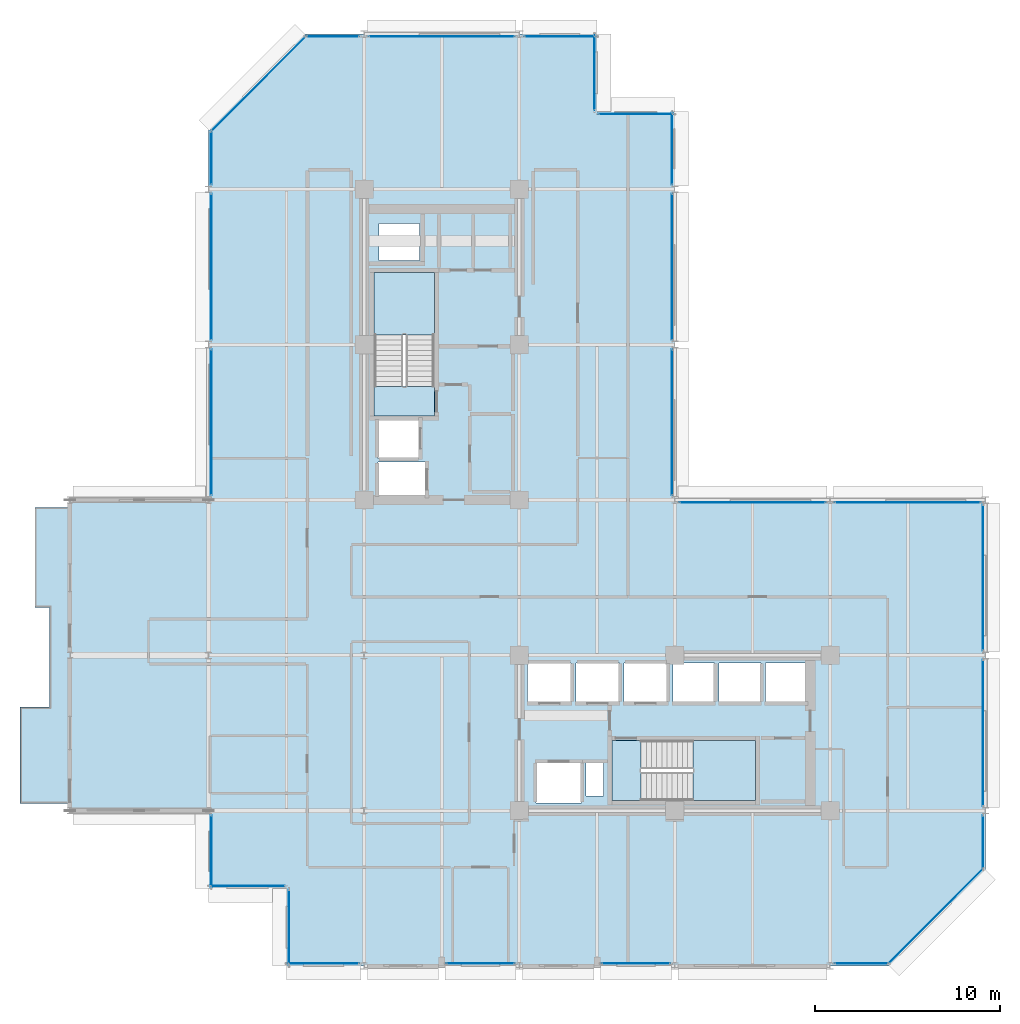
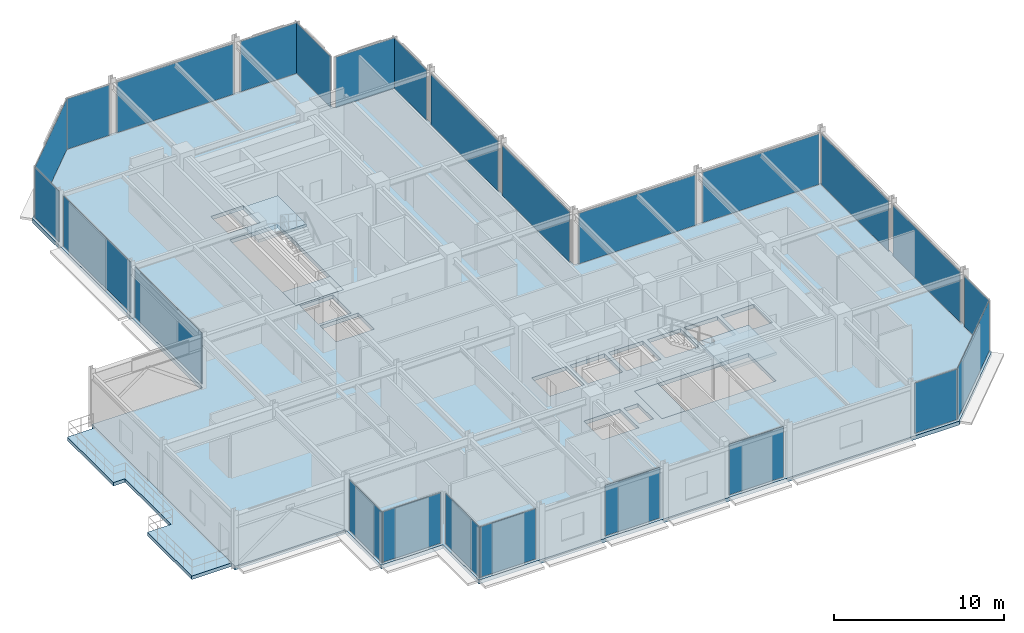
# One storey, part 23 of 30: 25 plates, 6 slabs, 27 elements without a shape of their own.
"""IFC4 building model written with IfcOpenShell, lengths in metres."""

from ifc_helpers import new_model, si_unit, direction, frame, origin, origin_2d, place, context, subcontext, project, spatial, polyline, rectangle, outline, extrude, material, layer, layer_set, type_object, element, aggregate, save


model = new_model("IFC4")

# Units and contexts
model_context = context("Model", 3, precision=1e-05, world=origin(), true_north=direction((0.0, 1.0)))
body_context = subcontext(model_context, "Body", "Model", "MODEL_VIEW")
ifc_project = project(units=[si_unit("LENGTHUNIT", "METRE"), si_unit("AREAUNIT", "SQUARE_METRE"), si_unit("VOLUMEUNIT", "CUBIC_METRE"), si_unit("PLANEANGLEUNIT", "RADIAN"), si_unit("MASSUNIT", "GRAM", prefix="KILO")], contexts=[model_context])

# Site, building, storey
site_placement = place(None, origin())
site = spatial("IfcSite", under=ifc_project, at=site_placement, CompositionType="ELEMENT")
building_placement = place(site_placement, origin())
building = spatial("IfcBuilding", under=site, at=building_placement, Name="Nerrivon Quay Data Exchange", CompositionType="ELEMENT")
storey_placement = place(building_placement, frame((0.0, 0.0, 216.5)))
storey = spatial("IfcBuildingStorey", under=building, at=storey_placement, Name="L51", CompositionType="ELEMENT", Elevation=216.5)

# Curtain wall, plate
ifc_material_1 = material(Name="Anodised aluminium 6063-T6", Category="aluminium")
ifc_layer_1 = layer(ifc_material_1, 0.195068359375)
ifc_layer_set_1 = layer_set([ifc_layer_1], Name="Anodised aluminium 6063-T6")
curtain_wall_type = type_object("IfcCurtainWallType", Name="CW-SYS-06", PredefinedType="NOTDEFINED", material=ifc_layer_set_1)
curtain_wall_1_placement = place(storey_placement, origin())
curtain_wall_1 = element("IfcCurtainWall", 1, at=curtain_wall_1_placement, inside=storey, type_object=curtain_wall_type, Name="L51 Unitised Curtain Wall 4", PredefinedType="NOTDEFINED")
ifc_material_2 = material(Name="Double-glazed low-E solar control glass", Category="glass")
ifc_layer_2 = layer(ifc_material_2, 0.028076171875)
ifc_layer_set_2 = layer_set([ifc_layer_2], Name="Double-glazed low-E solar control glass")
plate_type = type_object("IfcPlateType", Name="CWP-GLZ-28", PredefinedType="CURTAIN_PANEL", material=ifc_layer_set_2)
plate_1_placement = place(storey_placement, frame((0.139892578125, 29.39990234375, 0.06494140625), z_axis=(0.0, 0.0, 1.0), x_axis=(0.0, 1.0, 0.0)))
plate_1 = element("IfcPlate", 2, at=plate_1_placement, type_object=plate_type, Name="CW06 panel 1.1", PredefinedType="CURTAIN_PANEL", context=body_context, shape_type="SweptSolid", body=[
    extrude(rectangle(XDim=7.89990234375, YDim=0.028076171875, at=origin_2d()), origin(), (0.0, 0.0, 1.0), 3.6201171875),
])
aggregate(curtain_wall_1, [plate_1])

curtain_wall_2_placement = place(storey_placement, origin())
curtain_wall_2 = element("IfcCurtainWall", 3, at=curtain_wall_2_placement, inside=storey, type_object=curtain_wall_type, Name="L51 Unitised Curtain Wall 5", PredefinedType="NOTDEFINED")
plate_2_placement = place(storey_placement, frame((0.139892578125, 37.800048828125, 0.06494140625), z_axis=(0.0, 0.0, 1.0), x_axis=(0.0, 1.0, 0.0)))
plate_2 = element("IfcPlate", 4, at=plate_2_placement, type_object=plate_type, Name="CW06 panel 1.1", PredefinedType="CURTAIN_PANEL", context=body_context, shape_type="SweptSolid", body=[
    extrude(rectangle(XDim=7.89990234375, YDim=0.028076171875, at=origin_2d()), origin(), (0.0, 0.0, 1.0), 3.6201171875),
])
aggregate(curtain_wall_2, [plate_2])

curtain_wall_3_placement = place(storey_placement, origin())
curtain_wall_3 = element("IfcCurtainWall", 5, at=curtain_wall_3_placement, inside=storey, type_object=curtain_wall_type, Name="L51 Unitised Curtain Wall 6", PredefinedType="NOTDEFINED")
plate_3_placement = place(storey_placement, frame((0.139892578125, 43.6875, 0.06494140625), z_axis=(0.0, 0.0, 1.0), x_axis=(0.0, 1.0, 0.0)))
plate_3 = element("IfcPlate", 6, at=plate_3_placement, type_object=plate_type, Name="CW06 panel 1.1", PredefinedType="CURTAIN_PANEL", context=body_context, shape_type="SweptSolid", body=[
    extrude(rectangle(XDim=2.875, YDim=0.028076171875, at=origin_2d()), origin(), (0.0, 0.0, 1.0), 3.6201171875),
])
aggregate(curtain_wall_3, [plate_3])

curtain_wall_4_placement = place(storey_placement, origin())
curtain_wall_4 = element("IfcCurtainWall", 7, at=curtain_wall_4_placement, inside=storey, type_object=curtain_wall_type, Name="L51 Unitised Curtain Wall 7", PredefinedType="NOTDEFINED")
plate_4_placement = place(storey_placement, frame((2.698974609375, 47.700927734375, 0.06494140625), z_axis=(0.0, 0.0, 1.0), x_axis=(0.707106781187, 0.707106781187, 0.0)))
plate_4 = element("IfcPlate", 8, at=plate_4_placement, type_object=plate_type, Name="CW06 panel 1.1", PredefinedType="CURTAIN_PANEL", context=body_context, shape_type="SweptSolid", body=[
    extrude(rectangle(XDim=7.203857421875, YDim=0.028076171875, at=origin_2d()), origin(), (0.0, 0.0, 1.0), 3.6201171875),
])
aggregate(curtain_wall_4, [plate_4])

curtain_wall_5_placement = place(storey_placement, origin())
curtain_wall_5 = element("IfcCurtainWall", 9, at=curtain_wall_5_placement, inside=storey, type_object=curtain_wall_type, Name="L51 Unitised Curtain Wall 8", PredefinedType="NOTDEFINED")
plate_5_placement = place(storey_placement, frame((6.71240234375, 50.260009765625, 0.06494140625), z_axis=(0.0, 0.0, 1.0), x_axis=(1.0, 0.0, 0.0)))
plate_5 = element("IfcPlate", 10, at=plate_5_placement, type_object=plate_type, Name="CW06 panel 1.1", PredefinedType="CURTAIN_PANEL", context=body_context, shape_type="SweptSolid", body=[
    extrude(rectangle(XDim=2.875, YDim=0.028076171875, at=origin_2d()), origin(), (0.0, 0.0, 1.0), 3.6201171875),
])
aggregate(curtain_wall_5, [plate_5])

curtain_wall_6_placement = place(storey_placement, origin())
curtain_wall_6 = element("IfcCurtainWall", 11, at=curtain_wall_6_placement, inside=storey, type_object=curtain_wall_type, Name="L51 Unitised Curtain Wall 9", PredefinedType="NOTDEFINED")
plate_6_placement = place(storey_placement, frame((12.60009765625, 50.260009765625, 0.06494140625), z_axis=(0.0, 0.0, 1.0), x_axis=(1.0, 0.0, 0.0)))
plate_6 = element("IfcPlate", 12, at=plate_6_placement, type_object=plate_type, Name="CW06 panel 1.1", PredefinedType="CURTAIN_PANEL", context=body_context, shape_type="SweptSolid", body=[
    extrude(rectangle(XDim=7.89990234375, YDim=0.028076171875, at=origin_2d()), origin(), (0.0, 0.0, 1.0), 3.6201171875),
])
aggregate(curtain_wall_6, [plate_6])

curtain_wall_7_placement = place(storey_placement, origin())
curtain_wall_7 = element("IfcCurtainWall", 13, at=curtain_wall_7_placement, inside=storey, type_object=curtain_wall_type, Name="L51 Unitised Curtain Wall 10", PredefinedType="NOTDEFINED")
plate_7_placement = place(storey_placement, frame((18.987548828125, 50.260009765625, 0.06494140625), z_axis=(0.0, 0.0, 1.0), x_axis=(1.0, 0.0, 0.0)))
plate_7 = element("IfcPlate", 14, at=plate_7_placement, type_object=plate_type, Name="CW06 panel 1.1", PredefinedType="CURTAIN_PANEL", context=body_context, shape_type="SweptSolid", body=[
    extrude(rectangle(XDim=3.875, YDim=0.028076171875, at=origin_2d()), origin(), (0.0, 0.0, 1.0), 3.6201171875),
])
aggregate(curtain_wall_7, [plate_7])

curtain_wall_8_placement = place(storey_placement, origin())
curtain_wall_8 = element("IfcCurtainWall", 15, at=curtain_wall_8_placement, inside=storey, type_object=curtain_wall_type, Name="L51 Unitised Curtain Wall 11", PredefinedType="NOTDEFINED")
plate_8_placement = place(storey_placement, frame((20.860107421875, 48.300048828125, 0.06494140625), z_axis=(0.0, 0.0, 1.0), x_axis=(0.0, -1.0, 0.0)))
plate_8 = element("IfcPlate", 16, at=plate_8_placement, type_object=plate_type, Name="CW06 panel 1.1", PredefinedType="CURTAIN_PANEL", context=body_context, shape_type="SweptSolid", body=[
    extrude(rectangle(XDim=4.050048828125, YDim=0.028076171875, at=origin_2d()), origin(), (0.0, 0.0, 1.0), 3.6201171875),
])
aggregate(curtain_wall_8, [plate_8])

curtain_wall_9_placement = place(storey_placement, origin())
curtain_wall_9 = element("IfcCurtainWall", 17, at=curtain_wall_9_placement, inside=storey, type_object=curtain_wall_type, Name="L51 Unitised Curtain Wall 12", PredefinedType="NOTDEFINED")
plate_9_placement = place(storey_placement, frame((23.10009765625, 46.06005859375, 0.06494140625), z_axis=(0.0, 0.0, 1.0), x_axis=(1.0, 0.0, 0.0)))
plate_9 = element("IfcPlate", 18, at=plate_9_placement, type_object=plate_type, Name="CW06 panel 1.1", PredefinedType="CURTAIN_PANEL", context=body_context, shape_type="SweptSolid", body=[
    extrude(rectangle(XDim=4.050048828125, YDim=0.028076171875, at=origin_2d()), origin(), (0.0, 0.0, 1.0), 3.6201171875),
])
aggregate(curtain_wall_9, [plate_9])

curtain_wall_10_placement = place(storey_placement, origin())
curtain_wall_10 = element("IfcCurtainWall", 19, at=curtain_wall_10_placement, inside=storey, type_object=curtain_wall_type, Name="L51 Unitised Curtain Wall 13", PredefinedType="NOTDEFINED")
plate_10_placement = place(storey_placement, frame((25.06005859375, 44.1875, 0.06494140625), z_axis=(0.0, 0.0, 1.0), x_axis=(0.0, -1.0, 0.0)))
plate_10 = element("IfcPlate", 20, at=plate_10_placement, type_object=plate_type, Name="CW06 panel 1.1", PredefinedType="CURTAIN_PANEL", context=body_context, shape_type="SweptSolid", body=[
    extrude(rectangle(XDim=3.875, YDim=0.028076171875, at=origin_2d()), origin(), (0.0, 0.0, 1.0), 3.6201171875),
])
aggregate(curtain_wall_10, [plate_10])

curtain_wall_11_placement = place(storey_placement, origin())
curtain_wall_11 = element("IfcCurtainWall", 21, at=curtain_wall_11_placement, inside=storey, type_object=curtain_wall_type, Name="L51 Unitised Curtain Wall 14", PredefinedType="NOTDEFINED")
plate_11_placement = place(storey_placement, frame((25.06005859375, 37.800048828125, 0.06494140625), z_axis=(0.0, 0.0, 1.0), x_axis=(0.0, -1.0, 0.0)))
plate_11 = element("IfcPlate", 22, at=plate_11_placement, type_object=plate_type, Name="CW06 panel 1.1", PredefinedType="CURTAIN_PANEL", context=body_context, shape_type="SweptSolid", body=[
    extrude(rectangle(XDim=7.89990234375, YDim=0.028076171875, at=origin_2d()), origin(), (0.0, 0.0, 1.0), 3.6201171875),
])
aggregate(curtain_wall_11, [plate_11])

curtain_wall_12_placement = place(storey_placement, origin())
curtain_wall_12 = element("IfcCurtainWall", 23, at=curtain_wall_12_placement, inside=storey, type_object=curtain_wall_type, Name="L51 Unitised Curtain Wall 15", PredefinedType="NOTDEFINED")
plate_12_placement = place(storey_placement, frame((25.06005859375, 29.39990234375, 0.06494140625), z_axis=(0.0, 0.0, 1.0), x_axis=(0.0, -1.0, 0.0)))
plate_12 = element("IfcPlate", 24, at=plate_12_placement, type_object=plate_type, Name="CW06 panel 1.1", PredefinedType="CURTAIN_PANEL", context=body_context, shape_type="SweptSolid", body=[
    extrude(rectangle(XDim=7.89990234375, YDim=0.028076171875, at=origin_2d()), origin(), (0.0, 0.0, 1.0), 3.6201171875),
])
aggregate(curtain_wall_12, [plate_12])

curtain_wall_13_placement = place(storey_placement, origin())
curtain_wall_13 = element("IfcCurtainWall", 25, at=curtain_wall_13_placement, inside=storey, type_object=curtain_wall_type, Name="L51 Unitised Curtain Wall 16", PredefinedType="NOTDEFINED")
plate_13_placement = place(storey_placement, frame((29.39990234375, 25.06005859375, 0.06494140625), z_axis=(0.0, 0.0, 1.0), x_axis=(1.0, 0.0, 0.0)))
plate_13 = element("IfcPlate", 26, at=plate_13_placement, type_object=plate_type, Name="CW06 panel 1.1", PredefinedType="CURTAIN_PANEL", context=body_context, shape_type="SweptSolid", body=[
    extrude(rectangle(XDim=7.89990234375, YDim=0.028076171875, at=origin_2d()), origin(), (0.0, 0.0, 1.0), 3.6201171875),
])
aggregate(curtain_wall_13, [plate_13])

curtain_wall_14_placement = place(storey_placement, origin())
curtain_wall_14 = element("IfcCurtainWall", 27, at=curtain_wall_14_placement, inside=storey, type_object=curtain_wall_type, Name="L51 Unitised Curtain Wall 17", PredefinedType="NOTDEFINED")
plate_14_placement = place(storey_placement, frame((37.800048828125, 25.06005859375, 0.06494140625), z_axis=(0.0, 0.0, 1.0), x_axis=(1.0, 0.0, 0.0)))
plate_14 = element("IfcPlate", 28, at=plate_14_placement, type_object=plate_type, Name="CW06 panel 1.1", PredefinedType="CURTAIN_PANEL", context=body_context, shape_type="SweptSolid", body=[
    extrude(rectangle(XDim=7.89990234375, YDim=0.028076171875, at=origin_2d()), origin(), (0.0, 0.0, 1.0), 3.6201171875),
])
aggregate(curtain_wall_14, [plate_14])

curtain_wall_15_placement = place(storey_placement, origin())
curtain_wall_15 = element("IfcCurtainWall", 29, at=curtain_wall_15_placement, inside=storey, type_object=curtain_wall_type, Name="L51 Unitised Curtain Wall 18", PredefinedType="NOTDEFINED")
plate_15_placement = place(storey_placement, frame((41.860107421875, 21.0, 0.06494140625), z_axis=(0.0, 0.0, 1.0), x_axis=(0.0, -1.0, 0.0)))
plate_15 = element("IfcPlate", 30, at=plate_15_placement, type_object=plate_type, Name="CW06 panel 1.1", PredefinedType="CURTAIN_PANEL", context=body_context, shape_type="SweptSolid", body=[
    extrude(rectangle(XDim=7.89990234375, YDim=0.028076171875, at=origin_2d()), origin(), (0.0, 0.0, 1.0), 3.6201171875),
])
aggregate(curtain_wall_15, [plate_15])

curtain_wall_16_placement = place(storey_placement, origin())
curtain_wall_16 = element("IfcCurtainWall", 31, at=curtain_wall_16_placement, inside=storey, type_object=curtain_wall_type, Name="L51 Unitised Curtain Wall 19", PredefinedType="NOTDEFINED")
plate_16_placement = place(storey_placement, frame((41.860107421875, 12.60009765625, 0.06494140625), z_axis=(0.0, 0.0, 1.0), x_axis=(0.0, -1.0, 0.0)))
plate_16 = element("IfcPlate", 32, at=plate_16_placement, type_object=plate_type, Name="CW06 panel 1.1", PredefinedType="CURTAIN_PANEL", context=body_context, shape_type="SweptSolid", body=[
    extrude(rectangle(XDim=7.89990234375, YDim=0.028076171875, at=origin_2d()), origin(), (0.0, 0.0, 1.0), 3.6201171875),
])
aggregate(curtain_wall_16, [plate_16])

curtain_wall_17_placement = place(storey_placement, origin())
curtain_wall_17 = element("IfcCurtainWall", 33, at=curtain_wall_17_placement, inside=storey, type_object=curtain_wall_type, Name="L51 Unitised Curtain Wall 20", PredefinedType="NOTDEFINED")
plate_17_placement = place(storey_placement, frame((41.860107421875, 6.71240234375, 0.06494140625), z_axis=(0.0, 0.0, 1.0), x_axis=(0.0, -1.0, 0.0)))
plate_17 = element("IfcPlate", 34, at=plate_17_placement, type_object=plate_type, Name="CW06 panel 1.1", PredefinedType="CURTAIN_PANEL", context=body_context, shape_type="SweptSolid", body=[
    extrude(rectangle(XDim=2.875, YDim=0.028076171875, at=origin_2d()), origin(), (0.0, 0.0, 1.0), 3.6201171875),
])
aggregate(curtain_wall_17, [plate_17])

curtain_wall_18_placement = place(storey_placement, origin())
curtain_wall_18 = element("IfcCurtainWall", 35, at=curtain_wall_18_placement, inside=storey, type_object=curtain_wall_type, Name="L51 Unitised Curtain Wall 21", PredefinedType="NOTDEFINED")
plate_18_placement = place(storey_placement, frame((39.301025390625, 2.698974609375, 0.06494140625), z_axis=(0.0, 0.0, 1.0), x_axis=(-0.707106781187, -0.707106781187, 0.0)))
plate_18 = element("IfcPlate", 36, at=plate_18_placement, type_object=plate_type, Name="CW06 panel 1.1", PredefinedType="CURTAIN_PANEL", context=body_context, shape_type="SweptSolid", body=[
    extrude(rectangle(XDim=7.203857421875, YDim=0.028076171875, at=origin_2d()), origin(), (0.0, 0.0, 1.0), 3.6201171875),
])
aggregate(curtain_wall_18, [plate_18])

curtain_wall_19_placement = place(storey_placement, origin())
curtain_wall_19 = element("IfcCurtainWall", 37, at=curtain_wall_19_placement, inside=storey, type_object=curtain_wall_type, Name="L51 Unitised Curtain Wall 22", PredefinedType="NOTDEFINED")
plate_19_placement = place(storey_placement, frame((35.28759765625, 0.139892578125, 0.06494140625), z_axis=(0.0, 0.0, 1.0), x_axis=(-1.0, 0.0, 0.0)))
plate_19 = element("IfcPlate", 38, at=plate_19_placement, type_object=plate_type, Name="CW06 panel 1.1", PredefinedType="CURTAIN_PANEL", context=body_context, shape_type="SweptSolid", body=[
    extrude(rectangle(XDim=2.875, YDim=0.028076171875, at=origin_2d()), origin(), (0.0, 0.0, 1.0), 3.6201171875),
])
aggregate(curtain_wall_19, [plate_19])

curtain_wall_20_placement = place(storey_placement, origin())
curtain_wall_20 = element("IfcCurtainWall", 39, at=curtain_wall_20_placement, inside=storey, type_object=curtain_wall_type, Name="L51 Unitised Curtain Wall 24", PredefinedType="NOTDEFINED")
plate_20_placement = place(storey_placement, frame((23.10009765625, 0.139892578125, 0.06494140625), z_axis=(0.0, 0.0, 1.0), x_axis=(-1.0, 0.0, 0.0)))
plate_20 = element("IfcPlate", 40, at=plate_20_placement, type_object=plate_type, Name="CW06 panel 1.1", PredefinedType="CURTAIN_PANEL", context=body_context, shape_type="SweptSolid", body=[
    extrude(rectangle(XDim=3.699951171875, YDim=0.028076171875, at=origin_2d()), origin(), (0.0, 0.0, 1.0), 3.6201171875),
])
aggregate(curtain_wall_20, [plate_20])

curtain_wall_21_placement = place(storey_placement, origin())
curtain_wall_21 = element("IfcCurtainWall", 41, at=curtain_wall_21_placement, inside=storey, type_object=curtain_wall_type, Name="L51 Unitised Curtain Wall 26", PredefinedType="NOTDEFINED")
plate_21_placement = place(storey_placement, frame((14.699951171875, 0.139892578125, 0.06494140625), z_axis=(0.0, 0.0, 1.0), x_axis=(-1.0, 0.0, 0.0)))
plate_21 = element("IfcPlate", 42, at=plate_21_placement, type_object=plate_type, Name="CW06 panel 1.1", PredefinedType="CURTAIN_PANEL", context=body_context, shape_type="SweptSolid", body=[
    extrude(rectangle(XDim=3.699951171875, YDim=0.028076171875, at=origin_2d()), origin(), (0.0, 0.0, 1.0), 3.6201171875),
])
aggregate(curtain_wall_21, [plate_21])

curtain_wall_22_placement = place(storey_placement, origin())
curtain_wall_22 = element("IfcCurtainWall", 43, at=curtain_wall_22_placement, inside=storey, type_object=curtain_wall_type, Name="L51 Unitised Curtain Wall 28", PredefinedType="NOTDEFINED")
plate_22_placement = place(storey_placement, frame((6.21240234375, 0.139892578125, 0.06494140625), z_axis=(0.0, 0.0, 1.0), x_axis=(-1.0, 0.0, 0.0)))
plate_22 = element("IfcPlate", 44, at=plate_22_placement, type_object=plate_type, Name="CW06 panel 1.1", PredefinedType="CURTAIN_PANEL", context=body_context, shape_type="SweptSolid", body=[
    extrude(rectangle(XDim=3.875, YDim=0.028076171875, at=origin_2d()), origin(), (0.0, 0.0, 1.0), 3.6201171875),
])
aggregate(curtain_wall_22, [plate_22])

curtain_wall_23_placement = place(storey_placement, origin())
curtain_wall_23 = element("IfcCurtainWall", 45, at=curtain_wall_23_placement, inside=storey, type_object=curtain_wall_type, Name="L51 Unitised Curtain Wall 29", PredefinedType="NOTDEFINED")
plate_23_placement = place(storey_placement, frame((4.340087890625, 2.10009765625, 0.06494140625), z_axis=(0.0, 0.0, 1.0), x_axis=(0.0, 1.0, 0.0)))
plate_23 = element("IfcPlate", 46, at=plate_23_placement, type_object=plate_type, Name="CW06 panel 1.1", PredefinedType="CURTAIN_PANEL", context=body_context, shape_type="SweptSolid", body=[
    extrude(rectangle(XDim=4.050048828125, YDim=0.028076171875, at=origin_2d()), origin(), (0.0, 0.0, 1.0), 3.6201171875),
])
aggregate(curtain_wall_23, [plate_23])

curtain_wall_24_placement = place(storey_placement, origin())
curtain_wall_24 = element("IfcCurtainWall", 47, at=curtain_wall_24_placement, inside=storey, type_object=curtain_wall_type, Name="L51 Unitised Curtain Wall 30", PredefinedType="NOTDEFINED")
plate_24_placement = place(storey_placement, frame((2.10009765625, 4.340087890625, 0.06494140625), z_axis=(0.0, 0.0, 1.0), x_axis=(-1.0, 0.0, 0.0)))
plate_24 = element("IfcPlate", 48, at=plate_24_placement, type_object=plate_type, Name="CW06 panel 1.1", PredefinedType="CURTAIN_PANEL", context=body_context, shape_type="SweptSolid", body=[
    extrude(rectangle(XDim=4.050048828125, YDim=0.028076171875, at=origin_2d()), origin(), (0.0, 0.0, 1.0), 3.6201171875),
])
aggregate(curtain_wall_24, [plate_24])

curtain_wall_25_placement = place(storey_placement, origin())
curtain_wall_25 = element("IfcCurtainWall", 49, at=curtain_wall_25_placement, inside=storey, type_object=curtain_wall_type, Name="L51 Unitised Curtain Wall 31", PredefinedType="NOTDEFINED")
plate_25_placement = place(storey_placement, frame((0.139892578125, 6.21240234375, 0.06494140625), z_axis=(0.0, 0.0, 1.0), x_axis=(0.0, 1.0, 0.0)))
plate_25 = element("IfcPlate", 50, at=plate_25_placement, type_object=plate_type, Name="CW06 panel 1.1", PredefinedType="CURTAIN_PANEL", context=body_context, shape_type="SweptSolid", body=[
    extrude(rectangle(XDim=3.875, YDim=0.028076171875, at=origin_2d()), origin(), (0.0, 0.0, 1.0), 3.6201171875),
])
aggregate(curtain_wall_25, [plate_25])

# Slab
ifc_material_3 = material(Name="Precast white architectural concrete N50 (50 MPa)", Category="concrete")
ifc_layer_3 = layer(ifc_material_3, 0.25)
ifc_layer_set_3 = layer_set([ifc_layer_3], Name="Precast white architectural concrete N50 (50 MPa)")
slab_type_1 = type_object("IfcSlabType", Name="SLB-BAL-250", PredefinedType="FLOOR", material=ifc_layer_set_3)
slab_1_placement = place(storey_placement, frame((0.0, 0.0, -0.25)))
element("IfcSlab", 51, at=slab_1_placement, inside=storey, type_object=slab_type_1, Name="L51 West Hooked Drifting Verandah", PredefinedType="FLOOR", context=body_context, shape_type="SweptSolid", body=[
    extrude(outline(polyline([(-7.5, 14.0), (-7.5, 19.39990234375), (-7.5, 24.800048828125), (-9.39990234375, 24.800048828125), (-9.39990234375, 19.39990234375), (-8.60009765625, 19.39990234375), (-8.60009765625, 14.0), (-10.199951171875, 14.0), (-10.199951171875, 8.800048828125), (-7.5, 8.800048828125), (-7.5, 14.0)])), origin(), (0.0, 0.0, 1.0), 0.25),
])

# Stair, slab
ifc_material_4 = material(Name="Concrete N50 (50 MPa)", Category="concrete")
stair_type = type_object("IfcStairType", Name="STAIR-DOG-41", PredefinedType="HALF_TURN_STAIR", material=ifc_material_4)
stair_1_placement = place(storey_placement, origin())
stair_1 = element("IfcStair", 52, at=stair_1_placement, inside=storey, type_object=stair_type, Name="L51 West Core Fire Stair ST01", PredefinedType="HALF_TURN_STAIR")
ifc_layer_4 = layer(ifc_material_4, 0.199951171875)
ifc_layer_set_4 = layer_set([ifc_layer_4], Name="Concrete N50 (50 MPa)")
slab_type_2 = type_object("IfcSlabType", Name="SLB-LAND-200", PredefinedType="LANDING", material=ifc_layer_set_4)
slab_2_placement = place(storey_placement, frame((0.0, 0.0, 1.85009765625)))
slab_2 = element("IfcSlab", 53, at=slab_2_placement, type_object=slab_type_2, Name="ST01 landing 1", PredefinedType="LANDING", context=body_context, shape_type="SweptSolid", body=[
    extrude(outline(polyline([(12.199951171875, 34.1298828125), (12.199951171875, 37.5), (8.949951171875, 37.5), (8.949951171875, 34.1298828125), (12.199951171875, 34.1298828125)])), origin(), (0.0, 0.0, 1.0), 0.199951171875),
])
aggregate(stair_1, [slab_2])

# Slab
slab_3_placement = place(storey_placement, frame((0.0, 0.0, -0.199951171875)))
element("IfcSlab", 54, at=slab_3_placement, inside=storey, type_object=slab_type_2, Name="L51 ST01 floor landing", PredefinedType="LANDING", context=body_context, shape_type="SweptSolid", body=[
    extrude(outline(polyline([(12.199951171875, 29.75), (12.199951171875, 31.330078125), (8.949951171875, 31.330078125), (8.949951171875, 29.75), (12.199951171875, 29.75)])), origin(), (0.0, 0.0, 1.0), 0.199951171875),
])

# Stair, slab
stair_2_placement = place(storey_placement, origin())
stair_2 = element("IfcStair", 55, at=stair_2_placement, inside=storey, type_object=stair_type, Name="L51 East Core Fire Stair ST02", PredefinedType="HALF_TURN_STAIR")
slab_4_placement = place(storey_placement, frame((0.0, 0.0, 1.85009765625)))
slab_4 = element("IfcSlab", 56, at=slab_4_placement, type_object=slab_type_2, Name="ST02 landing 1", PredefinedType="LANDING", context=body_context, shape_type="SweptSolid", body=[
    extrude(outline(polyline([(26.179931640625, 8.949951171875), (29.550048828125, 8.949951171875), (29.550048828125, 12.199951171875), (26.179931640625, 12.199951171875), (26.179931640625, 8.949951171875)])), origin(), (0.0, 0.0, 1.0), 0.199951171875),
])
aggregate(stair_2, [slab_4])

# Slabs
slab_5_placement = place(storey_placement, frame((0.0, 0.0, -0.199951171875)))
element("IfcSlab", 57, at=slab_5_placement, inside=storey, type_object=slab_type_2, Name="L51 ST02 floor landing", PredefinedType="LANDING", context=body_context, shape_type="SweptSolid", body=[
    extrude(outline(polyline([(21.800048828125, 8.949951171875), (23.3798828125, 8.949951171875), (23.3798828125, 12.199951171875), (21.800048828125, 12.199951171875), (21.800048828125, 8.949951171875)])), origin(), (0.0, 0.0, 1.0), 0.199951171875),
])
ifc_layer_5 = layer(ifc_material_4, 0.27490234375)
ifc_layer_set_5 = layer_set([ifc_layer_5], Name="Concrete N50 (50 MPa)")
slab_type_3 = type_object("IfcSlabType", Name="SLB-TOW-275", PredefinedType="FLOOR", material=ifc_layer_set_5)
slab_6_placement = place(storey_placement, frame((0.0, 0.0, -0.27490234375)))
element("IfcSlab", 58, at=slab_6_placement, inside=storey, type_object=slab_type_3, Name="L51 Primary Structural Slab", PredefinedType="FLOOR", context=body_context, shape_type="SweptSolid", body=[
    extrude(outline(polyline([(0.0, 8.39990234375), (0.0, 4.199951171875), (4.199951171875, 4.199951171875), (4.199951171875, 0.0), (36.800048828125, 0.0), (42.0, 5.199951171875), (42.0, 25.199951171875), (25.199951171875, 25.199951171875), (25.199951171875, 46.199951171875), (21.0, 46.199951171875), (21.0, 50.39990234375), (5.199951171875, 50.39990234375), (0.0, 45.199951171875), (0.0, 25.199951171875), (-7.5, 25.199951171875), (-7.5, 8.39990234375), (0.0, 8.39990234375)]), holes=[polyline([(8.949951171875, 29.75), (8.949951171875, 37.5), (12.199951171875, 37.5), (12.199951171875, 29.75), (8.949951171875, 29.75)]), polyline([(21.800048828125, 12.199951171875), (29.550048828125, 12.199951171875), (29.550048828125, 8.949951171875), (21.800048828125, 8.949951171875), (21.800048828125, 12.199951171875)]), polyline([(30.10009765625, 16.39990234375), (32.35009765625, 16.39990234375), (32.35009765625, 14.25), (30.10009765625, 14.25), (30.10009765625, 16.39990234375)]), polyline([(27.60009765625, 16.39990234375), (29.85009765625, 16.39990234375), (29.85009765625, 14.25), (27.60009765625, 14.25), (27.60009765625, 16.39990234375)]), polyline([(25.10009765625, 14.25), (25.10009765625, 16.39990234375), (27.35009765625, 16.39990234375), (27.35009765625, 14.25), (25.10009765625, 14.25)]), polyline([(22.449951171875, 16.39990234375), (24.800048828125, 16.39990234375), (24.800048828125, 14.25), (22.449951171875, 14.25), (22.449951171875, 16.39990234375)]), polyline([(19.85009765625, 16.39990234375), (22.199951171875, 16.39990234375), (22.199951171875, 14.25), (19.85009765625, 14.25), (19.85009765625, 16.39990234375)]), polyline([(20.39990234375, 9.199951171875), (20.39990234375, 11.0), (21.35009765625, 11.0), (21.35009765625, 9.199951171875), (20.39990234375, 9.199951171875)]), polyline([(17.699951171875, 8.830078125), (17.699951171875, 11.030029296875), (20.14990234375, 11.030029296875), (20.14990234375, 8.830078125), (17.699951171875, 8.830078125)]), polyline([(17.25, 14.25), (17.25, 16.39990234375), (19.60009765625, 16.39990234375), (19.60009765625, 14.25), (17.25, 14.25)]), polyline([(9.14990234375, 27.25), (11.75, 27.25), (11.75, 25.35009765625), (9.14990234375, 25.35009765625), (9.14990234375, 27.25)]), polyline([(9.14990234375, 29.60009765625), (11.39990234375, 29.60009765625), (11.39990234375, 27.449951171875), (9.14990234375, 27.449951171875), (9.14990234375, 29.60009765625)]), polyline([(9.199951171875, 38.14990234375), (9.199951171875, 40.14990234375), (11.39990234375, 40.14990234375), (11.39990234375, 38.14990234375), (9.199951171875, 38.14990234375)])]), origin(), (0.0, 0.0, 1.0), 0.27490234375),
])

save(model, "model.ifc")
